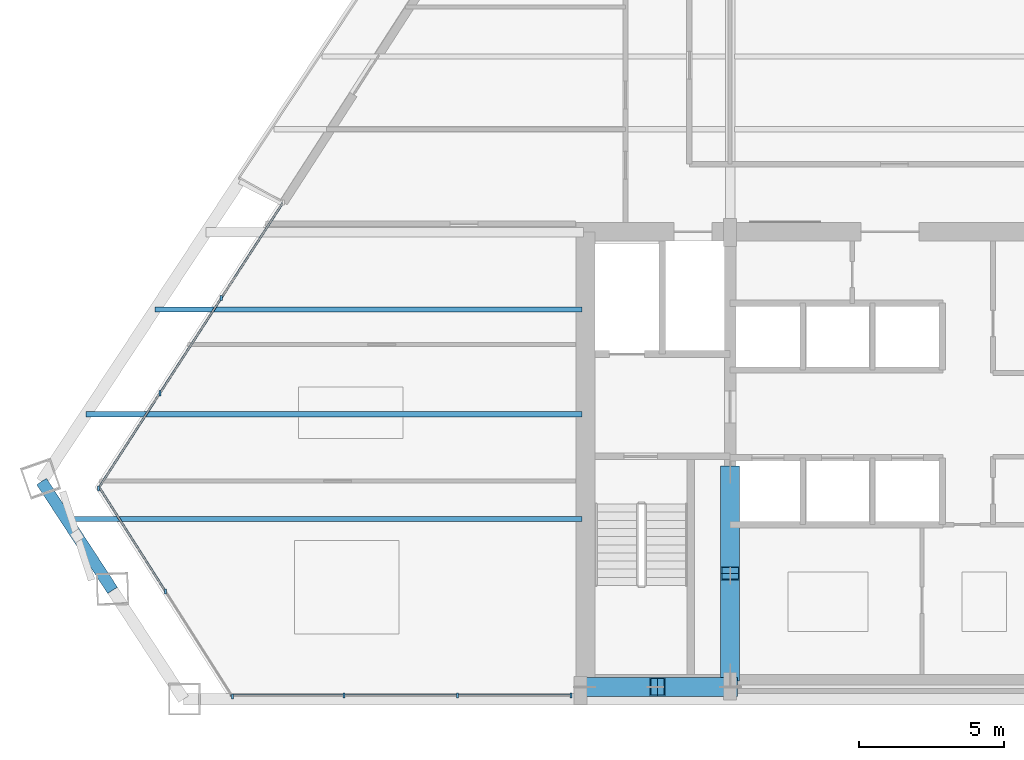
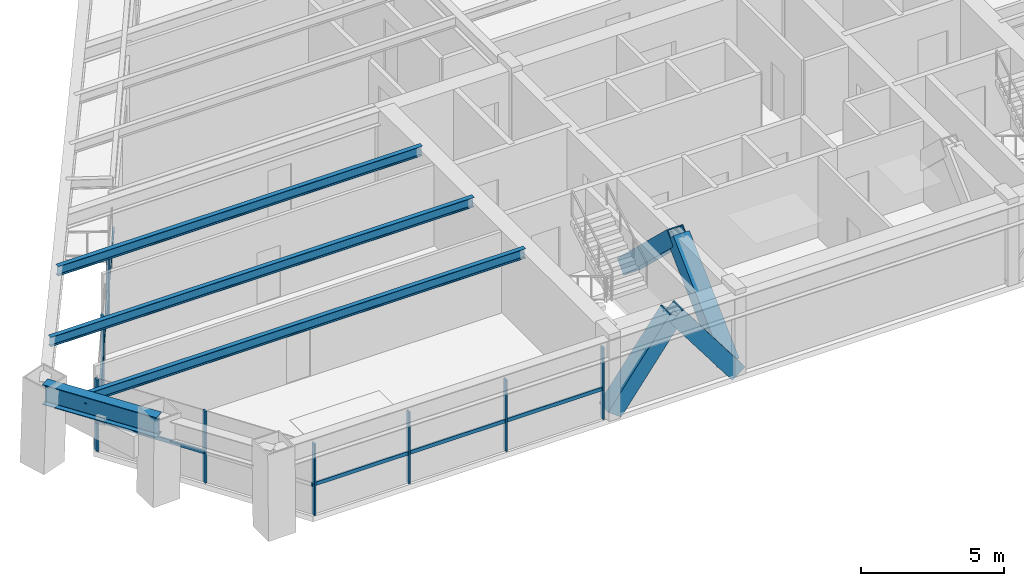
# One storey, part 2 of 15: 19 members, 4 beams, 3 elements without a shape of their own.
"""IFC4 building model written with IfcOpenShell, lengths in metres."""

from ifc_helpers import new_model, si_unit, direction, frame, origin, origin_2d, place, context, subcontext, project, spatial, rectangle, hollow_rectangle, i_section, extrude, source, transform, mapped, material, material_profile, profile_set, type_object, element, aggregate, save


model = new_model("IFC4")

# Units and contexts
model_context = context("Model", 3, precision=1e-05, world=origin(), true_north=direction((0.0, 1.0)))
body_context = subcontext(model_context, "Body", "Model", "MODEL_VIEW")
ifc_project = project(units=[si_unit("LENGTHUNIT", "METRE"), si_unit("AREAUNIT", "SQUARE_METRE"), si_unit("VOLUMEUNIT", "CUBIC_METRE"), si_unit("PLANEANGLEUNIT", "RADIAN"), si_unit("MASSUNIT", "GRAM", prefix="KILO")], contexts=[model_context])

# Site, building, storey
site_placement = place(None, origin())
site = spatial("IfcSite", under=ifc_project, at=site_placement, CompositionType="ELEMENT")
building_placement = place(site_placement, origin())
building = spatial("IfcBuilding", under=site, at=building_placement, Name="Varnakhor Terracotta Tower", CompositionType="ELEMENT")
storey_placement = place(building_placement, frame((0.0, 0.0, 147.800048828125)))
storey = spatial("IfcBuildingStorey", under=building, at=storey_placement, Name="L37", CompositionType="ELEMENT", Elevation=147.800048828125)

# Members
ifc_material_1 = material(Name="Steel S460", Category="steel")
ifc_material_profile_1 = material_profile(ifc_material_1, hollow_rectangle(XDim=0.64990234375, YDim=0.64990234375, WallThickness=0.0400390625, at=origin_2d()), Name="HSS650X650X40")
ifc_profile_set_1 = profile_set([ifc_material_profile_1], Name="Steel S460")
member_type_1 = type_object("IfcMemberType", Name="MBR-MEGA-650", PredefinedType="BRACE", material=ifc_profile_set_1)
shared_shape_1 = source(origin(), body_context, "Body", "SweptSolid", [
    extrude(hollow_rectangle(XDim=0.64990234375, YDim=0.64990234375, WallThickness=0.0400390625, at=origin_2d()), origin(), (0.0, 0.0, 1.0), 4.805908203125),
])
member_1_placement = place(storey_placement, frame((-5.5, 0.85009765625, 0.0), z_axis=(0.0, 0.723026776832, 0.69082000549), x_axis=(-1.0, 0.0, 0.0)))
element("IfcMember", 1, at=member_1_placement, inside=storey, type_object=member_type_1, Name="L37 Core Coupled Brace CWWA", PredefinedType="BRACE", context=body_context, shape_type="MappedRepresentation", body=[
    mapped(shared_shape_1, transform((0.0, 0.0, 0.0), scale=1.0)),
])
shared_shape_2 = source(origin(), body_context, "Body", "SweptSolid", [
    extrude(hollow_rectangle(XDim=0.64990234375, YDim=0.64990234375, WallThickness=0.0400390625, at=origin_2d()), origin(), (0.0, 0.0, 1.0), 4.156005859375),
])
for number, where, z_axis, x_axis, name in (
    (2, (-10.5, 0.419921875, 0.0), (0.601530923869, 0.0, 0.798849515009), (0.0, 1.0, 0.0), "L37 Core Coupled Brace CSWA"),
    (3, (-5.5, 0.419921875, 0.0), (-0.601530923869, 0.0, 0.798849515009), (0.0, -1.0, 0.0), "L37 Core Coupled Brace CSWB"),
):
    element("IfcMember", number, at=place(storey_placement, frame(where, z_axis=z_axis, x_axis=x_axis)), inside=storey, type_object=member_type_1, Name=name, PredefinedType="BRACE", context=body_context, shape_type="MappedRepresentation", body=[
        mapped(shared_shape_2, transform((0.0, 0.0, 0.0), scale=1.0)),
    ])
shared_shape_3 = source(origin(), body_context, "Body", "SweptSolid", [
    extrude(hollow_rectangle(XDim=0.64990234375, YDim=0.64990234375, WallThickness=0.0400390625, at=origin_2d()), origin(), (0.0, 0.0, 1.0), 4.80615234375),
])
member_2_placement = place(storey_placement, frame((-5.5, 7.800048828125, 0.0), z_axis=(0.0, -0.723051018573, 0.690794632681), x_axis=(1.0, 0.0, 0.0)))
element("IfcMember", 4, at=member_2_placement, inside=storey, type_object=member_type_1, Name="L37 Core Coupled Brace CWWB", PredefinedType="BRACE", context=body_context, shape_type="MappedRepresentation", body=[
    mapped(shared_shape_3, transform((0.0, 0.0, 0.0), scale=1.0)),
])

# Beams
ifc_material_2 = material(Name="Steel S355", Category="steel")
ifc_material_profile_2 = material_profile(ifc_material_2, i_section(OverallWidth=0.39990234375, OverallDepth=0.85498046875, WebThickness=0.01806640625, FlangeThickness=0.029052734375, FilletRadius=0.01806640625, at=origin_2d()), Name="W33X201")
ifc_profile_set_2 = profile_set([ifc_material_profile_2], Name="Steel S355")
beam_type_1 = type_object("IfcBeamType", Name="BM-W33X201", PredefinedType="BEAM", material=ifc_profile_set_2)
shared_shape_4 = source(origin(), body_context, "Body", "SweptSolid", [
    extrude(i_section(OverallWidth=0.39990234375, OverallDepth=0.85498046875, WebThickness=0.01806640625, FlangeThickness=0.029052734375, FilletRadius=0.01806640625, at=origin_2d()), origin(), (0.0, 0.0, 1.0), 4.46826171875),
])
beam_1_placement = place(storey_placement, frame((-29.179443359375, 7.485595703125, 3.04248046875), z_axis=(0.546274447281, -0.837606248931, 0.0), x_axis=(0.837606248931, 0.546274447281, 0.0)))
element("IfcBeam", 5, at=beam_1_placement, inside=storey, type_object=beam_type_1, Name="L37 Perimeter Spandrel 7", PredefinedType="BEAM", context=body_context, shape_type="MappedRepresentation", body=[
    mapped(shared_shape_4, transform((0.0, 0.0, 0.0), scale=1.0)),
])
ifc_material_profile_3 = material_profile(ifc_material_2, i_section(OverallWidth=0.179931640625, OverallDepth=0.4130859375, WebThickness=0.009765625, FlangeThickness=0.01611328125, FilletRadius=0.01806640625, at=origin_2d()), Name="W16X50")
ifc_profile_set_3 = profile_set([ifc_material_profile_3], Name="Steel S355")
beam_type_2 = type_object("IfcBeamType", Name="JST-W16X50", PredefinedType="JOIST", material=ifc_profile_set_3)
shared_shape_5 = source(origin(), body_context, "Body", "SweptSolid", [
    extrude(i_section(OverallWidth=0.179931640625, OverallDepth=0.4130859375, WebThickness=0.009765625, FlangeThickness=0.01611328125, FilletRadius=0.01806640625, at=origin_2d()), origin(), (0.0, 0.0, 1.0), 17.740966796875),
])
beam_2_placement = place(storey_placement, frame((-28.341064453125, 6.199951171875, 3.263427734375), z_axis=(1.0, 0.0, 0.0), x_axis=(0.0, 1.0, 0.0)))
element("IfcBeam", 6, at=beam_2_placement, inside=storey, type_object=beam_type_2, Name="L37 Floor Joist W1", PredefinedType="JOIST", context=body_context, shape_type="MappedRepresentation", body=[
    mapped(shared_shape_5, transform((0.0, 0.0, 0.0), scale=1.0)),
])
shared_shape_6 = source(origin(), body_context, "Body", "SweptSolid", [
    extrude(i_section(OverallWidth=0.179931640625, OverallDepth=0.4130859375, WebThickness=0.009765625, FlangeThickness=0.01611328125, FilletRadius=0.01806640625, at=origin_2d()), origin(), (0.0, 0.0, 1.0), 17.0537109375),
])
beam_3_placement = place(storey_placement, frame((-27.65380859375, 9.800048828125, 3.263427734375), z_axis=(1.0, 0.0, 0.0), x_axis=(0.0, 1.0, 0.0)))
element("IfcBeam", 7, at=beam_3_placement, inside=storey, type_object=beam_type_2, Name="L37 Floor Joist W2", PredefinedType="JOIST", context=body_context, shape_type="MappedRepresentation", body=[
    mapped(shared_shape_6, transform((0.0, 0.0, 0.0), scale=1.0)),
])
shared_shape_7 = source(origin(), body_context, "Body", "SweptSolid", [
    extrude(i_section(OverallWidth=0.179931640625, OverallDepth=0.4130859375, WebThickness=0.009765625, FlangeThickness=0.01611328125, FilletRadius=0.01806640625, at=origin_2d()), origin(), (0.0, 0.0, 1.0), 14.68017578125),
])
beam_4_placement = place(storey_placement, frame((-25.2802734375, 13.39990234375, 3.263427734375), z_axis=(1.0, 0.0, 0.0), x_axis=(0.0, 1.0, 0.0)))
element("IfcBeam", 8, at=beam_4_placement, inside=storey, type_object=beam_type_2, Name="L37 Floor Joist W3", PredefinedType="JOIST", context=body_context, shape_type="MappedRepresentation", body=[
    mapped(shared_shape_7, transform((0.0, 0.0, 0.0), scale=1.0)),
])

# Curtain wall, members
ifc_material_3 = material(Name="Anodised Aluminium Curtain Wall System", Category="aluminium")
curtain_wall_type = type_object("IfcCurtainWallType", Name="CW-SYS-MID-OFFICE", PredefinedType="NOTDEFINED", material=ifc_material_3)
curtain_wall_1_placement = place(storey_placement, origin())
curtain_wall_1 = element("IfcCurtainWall", 9, at=curtain_wall_1_placement, inside=storey, type_object=curtain_wall_type, Name="L37 W Facet Curtain Wall 1", PredefinedType="NOTDEFINED")
ifc_material_4 = material(Name="Anodised Aluminium 6063-T6", Category="aluminium")
ifc_material_profile_4 = material_profile(ifc_material_4, rectangle(XDim=0.070068359375, YDim=0.175048828125, at=origin_2d()), Name="ALU MULLION 70x175")
ifc_profile_set_4 = profile_set([ifc_material_profile_4], Name="Anodised Aluminium 6063-T6")
member_type_2 = type_object("IfcMemberType", Name="CWM-03", PredefinedType="MULLION", material=ifc_profile_set_4)
shared_shape_8 = source(origin(), body_context, "Body", "SweptSolid", [
    extrude(rectangle(XDim=0.070068359375, YDim=0.175048828125, at=origin_2d()), origin(), (0.0, 0.0, 1.0), 3.050048828125),
])
member_3_placement = place(storey_placement, frame((-27.224853515625, 7.25048828125, 0.0), z_axis=(0.0, 0.0, 1.0), x_axis=(1.0, 0.0, 0.0)))
member_3 = element("IfcMember", 10, at=member_3_placement, type_object=member_type_2, Name="L37 W Facet Curtain Wall 1 Mullion 1", PredefinedType="MULLION", context=body_context, shape_type="MappedRepresentation", body=[
    mapped(shared_shape_8, transform((0.0, 0.0, 0.0), scale=1.0)),
])
member_4_placement = place(storey_placement, frame((-25.112548828125, 10.520263671875, 0.0), z_axis=(0.0, 0.0, 1.0), x_axis=(1.0, 0.0, 0.0)))
member_4 = element("IfcMember", 11, at=member_4_placement, type_object=member_type_2, Name="L37 W Facet Curtain Wall 1 Mullion 2", PredefinedType="MULLION", context=body_context, shape_type="MappedRepresentation", body=[
    mapped(shared_shape_8, transform((0.0, 0.0, 0.0), scale=1.0)),
])
member_5_placement = place(storey_placement, frame((-23.00048828125, 13.789794921875, 0.0), z_axis=(0.0, 0.0, 1.0), x_axis=(1.0, 0.0, 0.0)))
member_5 = element("IfcMember", 12, at=member_5_placement, type_object=member_type_2, Name="L37 W Facet Curtain Wall 1 Mullion 3", PredefinedType="MULLION", context=body_context, shape_type="MappedRepresentation", body=[
    mapped(shared_shape_8, transform((0.0, 0.0, 0.0), scale=1.0)),
])

curtain_wall_2_placement = place(storey_placement, origin())
curtain_wall_2 = element("IfcCurtainWall", 13, at=curtain_wall_2_placement, inside=storey, type_object=curtain_wall_type, Name="L37 South Wing Curtain Wall SSW", PredefinedType="NOTDEFINED")
member_6_placement = place(storey_placement, frame((-10.969970703125, 0.1201171875, 0.0), z_axis=(0.0, 0.0, 1.0), x_axis=(1.0, 0.0, 0.0)))
member_6 = element("IfcMember", 14, at=member_6_placement, type_object=member_type_2, Name="L37 South Wing Curtain Wall SSW Mullion 1", PredefinedType="MULLION", context=body_context, shape_type="MappedRepresentation", body=[
    mapped(shared_shape_8, transform((0.0, 0.0, 0.0), scale=1.0)),
])
member_7_placement = place(storey_placement, frame((-14.877197265625, 0.1201171875, 0.0), z_axis=(0.0, 0.0, 1.0), x_axis=(1.0, 0.0, 0.0)))
member_7 = element("IfcMember", 15, at=member_7_placement, type_object=member_type_2, Name="L37 South Wing Curtain Wall SSW Mullion 2", PredefinedType="MULLION", context=body_context, shape_type="MappedRepresentation", body=[
    mapped(shared_shape_8, transform((0.0, 0.0, 0.0), scale=1.0)),
])
member_8_placement = place(storey_placement, frame((-18.7841796875, 0.1201171875, 0.0), z_axis=(0.0, 0.0, 1.0), x_axis=(1.0, 0.0, 0.0)))
member_8 = element("IfcMember", 16, at=member_8_placement, type_object=member_type_2, Name="L37 South Wing Curtain Wall SSW Mullion 3", PredefinedType="MULLION", context=body_context, shape_type="MappedRepresentation", body=[
    mapped(shared_shape_8, transform((0.0, 0.0, 0.0), scale=1.0)),
])

curtain_wall_3_placement = place(storey_placement, origin())
curtain_wall_3 = element("IfcCurtainWall", 17, at=curtain_wall_3_placement, inside=storey, type_object=curtain_wall_type, Name="L37 Facet Curtain Wall 6", PredefinedType="NOTDEFINED")
member_9_placement = place(storey_placement, frame((-22.616455078125, 0.089599609375, 0.0), z_axis=(0.0, 0.0, 1.0), x_axis=(1.0, 0.0, 0.0)))
member_9 = element("IfcMember", 18, at=member_9_placement, type_object=member_type_2, Name="L37 Facet Curtain Wall 6 Mullion 1", PredefinedType="MULLION", context=body_context, shape_type="MappedRepresentation", body=[
    mapped(shared_shape_8, transform((0.0, 0.0, 0.0), scale=1.0)),
])
member_10_placement = place(storey_placement, frame((-24.92041015625, 3.709716796875, 0.0), z_axis=(0.0, 0.0, 1.0), x_axis=(1.0, 0.0, 0.0)))
member_10 = element("IfcMember", 19, at=member_10_placement, type_object=member_type_2, Name="L37 Facet Curtain Wall 6 Mullion 2", PredefinedType="MULLION", context=body_context, shape_type="MappedRepresentation", body=[
    mapped(shared_shape_8, transform((0.0, 0.0, 0.0), scale=1.0)),
])

# Member
ifc_material_profile_5 = material_profile(ifc_material_4, rectangle(XDim=0.070068359375, YDim=0.155029296875, at=origin_2d()), Name="ALU TRANSOM 70x155")
ifc_profile_set_5 = profile_set([ifc_material_profile_5], Name="Anodised Aluminium 6063-T6")
member_type_3 = type_object("IfcMemberType", Name="CWT-03", PredefinedType="USERDEFINED", material=ifc_profile_set_5)
shared_shape_9 = source(origin(), body_context, "Body", "SweptSolid", [
    extrude(rectangle(XDim=0.070068359375, YDim=0.155029296875, at=origin_2d()), origin(), (0.0, 0.0, 1.0), 3.892822265625),
])
member_11_placement = place(storey_placement, frame((-27.224853515625, 7.25048828125, 1.281005859375), z_axis=(0.542629616689, 0.839972082329, 0.0), x_axis=(-0.839972082329, 0.542629616689, 0.0)))
member_11 = element("IfcMember", 20, at=member_11_placement, type_object=member_type_3, Name="L37 W Facet Curtain Wall 1 Transom 1", ObjectType="TRANSOM", PredefinedType="USERDEFINED", context=body_context, shape_type="MappedRepresentation", body=[
    mapped(shared_shape_9, transform((0.0, 0.0, 0.0), scale=1.0)),
])

member_12_placement = place(storey_placement, frame((-23.00048828125, 13.789794921875, 1.281005859375), z_axis=(0.542629616689, 0.839972082329, 0.0), x_axis=(-0.839972082329, 0.542629616689, 0.0)))
member_12 = element("IfcMember", 21, at=member_12_placement, type_object=member_type_3, Name="L37 W Facet Curtain Wall 1 Transom 3", ObjectType="TRANSOM", PredefinedType="USERDEFINED", context=body_context, shape_type="MappedRepresentation", body=[
    mapped(shared_shape_9, transform((0.0, 0.0, 0.0), scale=1.0)),
])

shared_shape_10 = source(origin(), body_context, "Body", "SweptSolid", [
    extrude(rectangle(XDim=0.070068359375, YDim=0.155029296875, at=origin_2d()), origin(), (0.0, 0.0, 1.0), 3.892333984375),
])
member_13_placement = place(storey_placement, frame((-25.112548828125, 10.520263671875, 1.281005859375), z_axis=(0.542613951016, 0.839982202289, 0.0), x_axis=(-0.839982202289, 0.542613951016, 0.0)))
member_13 = element("IfcMember", 22, at=member_13_placement, type_object=member_type_3, Name="L37 W Facet Curtain Wall 1 Transom 2", ObjectType="TRANSOM", PredefinedType="USERDEFINED", context=body_context, shape_type="MappedRepresentation", body=[
    mapped(shared_shape_10, transform((0.0, 0.0, 0.0), scale=1.0)),
])

aggregate(curtain_wall_1, [member_3, member_11, member_4, member_13, member_5, member_12])

shared_shape_11 = source(origin(), body_context, "Body", "SweptSolid", [
    extrude(rectangle(XDim=0.070068359375, YDim=0.155029296875, at=origin_2d()), origin(), (0.0, 0.0, 1.0), 3.9072265625),
])
member_14_placement = place(storey_placement, frame((-10.969970703125, 0.1201171875, 1.281005859375), z_axis=(-1.0, 0.0, 0.0), x_axis=(0.0, -1.0, 0.0)))
member_14 = element("IfcMember", 23, at=member_14_placement, type_object=member_type_3, Name="L37 South Wing Curtain Wall SSW Transom 1", ObjectType="TRANSOM", PredefinedType="USERDEFINED", context=body_context, shape_type="MappedRepresentation", body=[
    mapped(shared_shape_11, transform((0.0, 0.0, 0.0), scale=1.0)),
])

member_15_placement = place(storey_placement, frame((-18.7841796875, 0.1201171875, 1.281005859375), z_axis=(-1.0, 0.0, 0.0), x_axis=(0.0, -1.0, 0.0)))
member_15 = element("IfcMember", 24, at=member_15_placement, type_object=member_type_3, Name="L37 South Wing Curtain Wall SSW Transom 3", ObjectType="TRANSOM", PredefinedType="USERDEFINED", context=body_context, shape_type="MappedRepresentation", body=[
    mapped(shared_shape_11, transform((0.0, 0.0, 0.0), scale=1.0)),
])

shared_shape_12 = source(origin(), body_context, "Body", "SweptSolid", [
    extrude(rectangle(XDim=0.070068359375, YDim=0.155029296875, at=origin_2d()), origin(), (0.0, 0.0, 1.0), 3.906982421875),
])
member_16_placement = place(storey_placement, frame((-14.877197265625, 0.1201171875, 1.281005859375), z_axis=(-1.0, 0.0, 0.0), x_axis=(0.0, -1.0, 0.0)))
member_16 = element("IfcMember", 25, at=member_16_placement, type_object=member_type_3, Name="L37 South Wing Curtain Wall SSW Transom 2", ObjectType="TRANSOM", PredefinedType="USERDEFINED", context=body_context, shape_type="MappedRepresentation", body=[
    mapped(shared_shape_12, transform((0.0, 0.0, 0.0), scale=1.0)),
])

aggregate(curtain_wall_2, [member_6, member_14, member_7, member_16, member_8, member_15])

shared_shape_13 = source(origin(), body_context, "Body", "SweptSolid", [
    extrude(rectangle(XDim=0.070068359375, YDim=0.155029296875, at=origin_2d()), origin(), (0.0, 0.0, 1.0), 4.291015625),
])
member_17_placement = place(storey_placement, frame((-24.92041015625, 3.709716796875, 1.281005859375), z_axis=(-0.536982251128, 0.843593540737, 0.0), x_axis=(-0.843593540737, -0.536982251128, 0.0)))
member_17 = element("IfcMember", 26, at=member_17_placement, type_object=member_type_3, Name="L37 Facet Curtain Wall 6 Transom 2", ObjectType="TRANSOM", PredefinedType="USERDEFINED", context=body_context, shape_type="MappedRepresentation", body=[
    mapped(shared_shape_13, transform((0.0, 0.0, 0.0), scale=1.0)),
])

aggregate(curtain_wall_3, [member_9, member_10, member_17])

save(model, "model.ifc")
